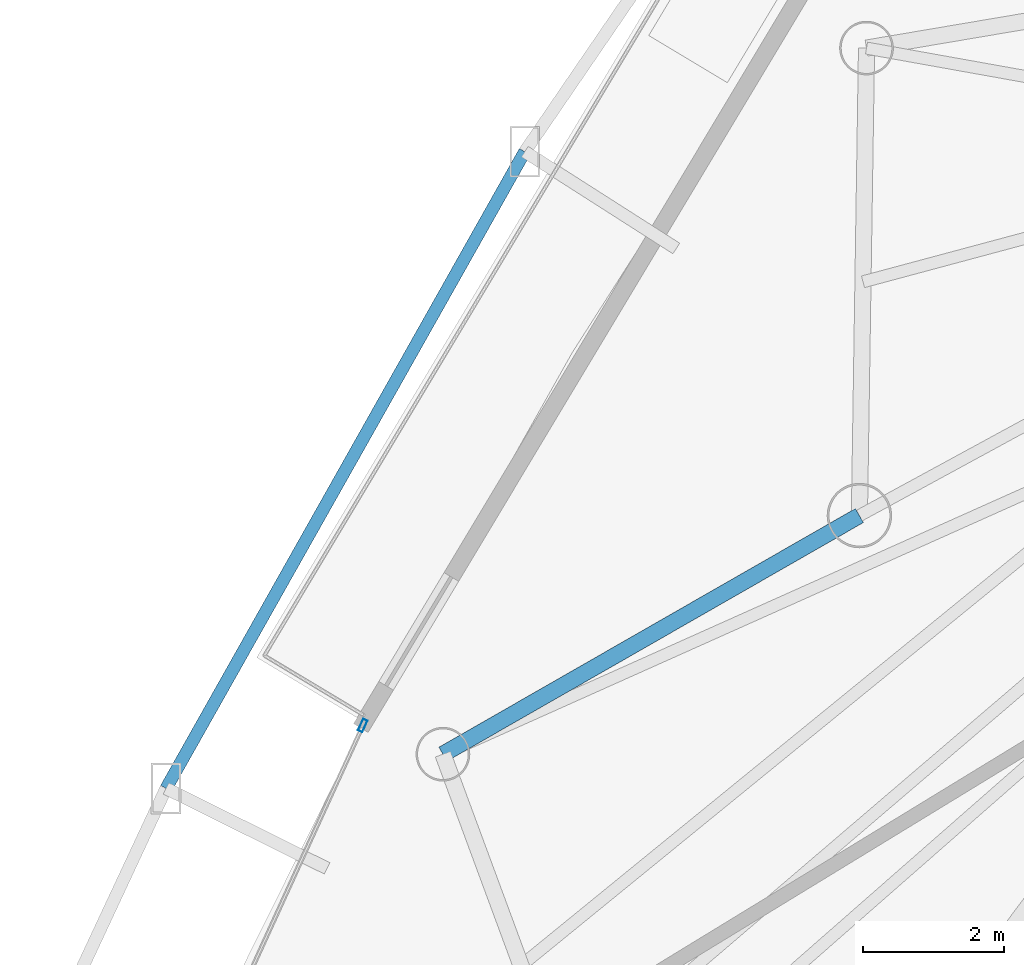
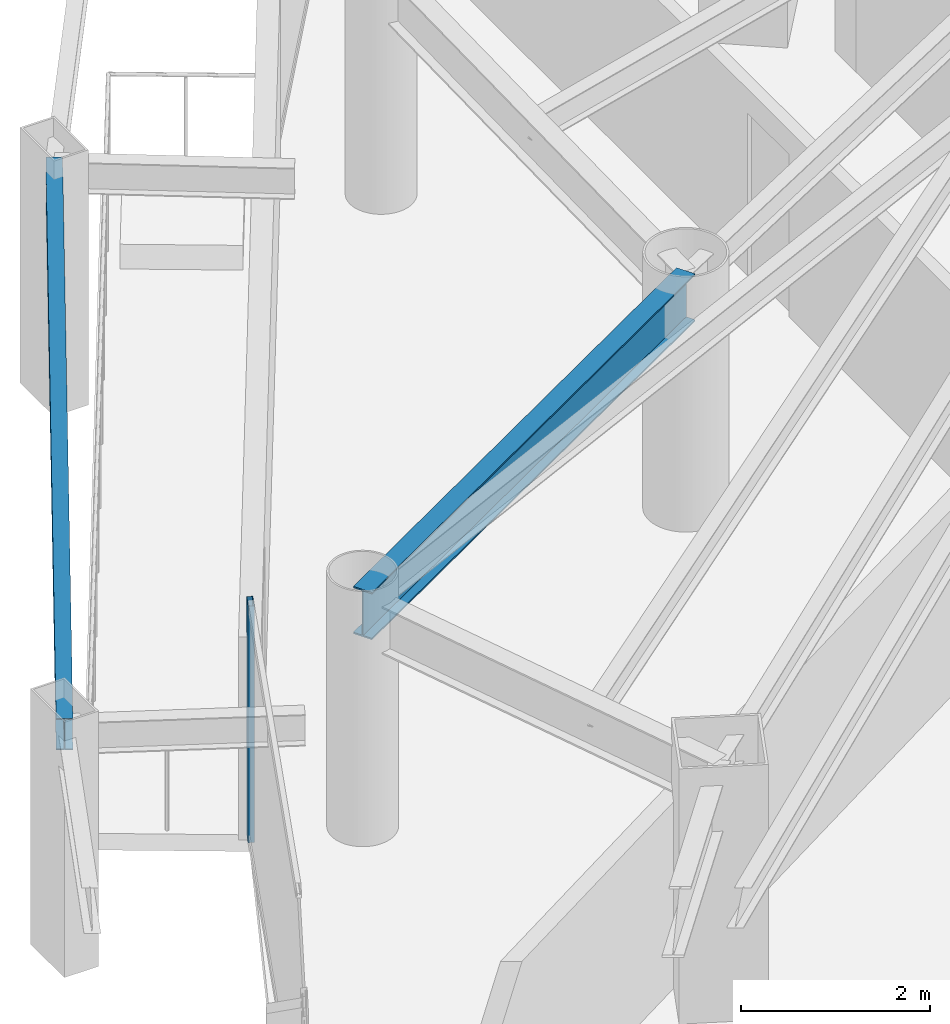
# One storey, part 10 of 33: 2 beams, 1 member, 1 element without a shape of its own.
"""IFC4 building model written with IfcOpenShell, lengths in metres."""

from ifc_helpers import new_model, si_unit, direction, frame, origin, origin_2d, place, context, subcontext, project, spatial, hollow_rectangle, i_section, extrude, material, layer, layer_set, material_profile, profile_set, type_object, element, aggregate, save


model = new_model("IFC4")

# Units and contexts
model_context = context("Model", 3, precision=1e-05, world=origin(), true_north=direction((0.0, 1.0)))
body_context = subcontext(model_context, "Body", "Model", "MODEL_VIEW")
ifc_project = project(units=[si_unit("LENGTHUNIT", "METRE"), si_unit("AREAUNIT", "SQUARE_METRE"), si_unit("VOLUMEUNIT", "CUBIC_METRE"), si_unit("PLANEANGLEUNIT", "RADIAN"), si_unit("MASSUNIT", "GRAM", prefix="KILO")], contexts=[model_context])

# Site, building, storey
site_placement = place(None, origin())
site = spatial("IfcSite", under=ifc_project, at=site_placement, CompositionType="ELEMENT")
building_placement = place(site_placement, origin())
building = spatial("IfcBuilding", under=site, at=building_placement, Name="Orvanel Arch Residences", CompositionType="ELEMENT")
storey_placement = place(building_placement, frame((0.0, 0.0, 90.64990234375)))
storey = spatial("IfcBuildingStorey", under=building, at=storey_placement, Name="L25", CompositionType="ELEMENT", Elevation=90.64990234375)

# Curtain wall, member
ifc_material_1 = material(Name="Bronze-anodised aluminium AA6063-T6", Category="aluminium")
ifc_layer = layer(ifc_material_1, 0.179931640625)
ifc_layer_set = layer_set([ifc_layer], Name="Bronze-anodised aluminium AA6063-T6")
curtain_wall_type = type_object("IfcCurtainWallType", Name="CW2-LOW-SYS", PredefinedType="NOTDEFINED", material=ifc_layer_set)
curtain_wall_placement = place(storey_placement, origin())
curtain_wall = element("IfcCurtainWall", 1, at=curtain_wall_placement, inside=storey, type_object=curtain_wall_type, Name="L25 CW2-LOW-SYS Unitised Curtain Wall", PredefinedType="NOTDEFINED")
ifc_material_profile_1 = material_profile(ifc_material_1, hollow_rectangle(XDim=0.070068359375, YDim=0.179931640625, WallThickness=0.00439453125, at=origin_2d()), Name="ALU180x70x4.5")
ifc_profile_set_1 = profile_set([ifc_material_profile_1], Name="Bronze-anodised aluminium AA6063-T6")
member_type = type_object("IfcMemberType", Name="MUL-180x70", PredefinedType="MULLION", material=ifc_profile_set_1)
member_placement = place(storey_placement, frame((13.5244140625, 24.662109375, 0.0), z_axis=(0.0, 0.0, 1.0), x_axis=(0.909823071027, -0.414996360739, 0.0)))
member = element("IfcMember", 2, at=member_placement, type_object=member_type, Name="CW-S2 mullion 1", PredefinedType="MULLION", context=body_context, shape_type="SweptSolid", body=[
    extrude(hollow_rectangle(XDim=0.070068359375, YDim=0.179931640625, WallThickness=0.00439453125, at=origin_2d()), origin(), (0.0, 0.0, 1.0), 3.06005859375),
])
aggregate(curtain_wall, [member])

# Beams
ifc_material_2 = material(Name="Structural steel AS/NZS 3679.1 Grade 300 (300 MPa)", Category="steel")
ifc_material_profile_2 = material_profile(ifc_material_2, i_section(OverallWidth=0.177978515625, OverallDepth=0.406005859375, WebThickness=0.0078125, FlangeThickness=0.0126953125, at=origin_2d()), Name="410UB59.7")
ifc_profile_set_2 = profile_set([ifc_material_profile_2], Name="Structural steel AS/NZS 3679.1 Grade 300 (300 MPa)")
beam_type_1 = type_object("IfcBeamType", Name="OB-410UB-EXT", PredefinedType="SPANDREL", material=ifc_profile_set_2)
beam_1_placement = place(storey_placement, frame((15.822998046875, 32.802001953125, 2.857177734375), z_axis=(-0.490843733941, -0.871247627745, 0.0), x_axis=(0.871247627745, -0.490843733941, 0.0)))
element("IfcBeam", 3, at=beam_1_placement, inside=storey, type_object=beam_type_1, Name="L25 Outer Perimeter Floor Ring Beam 02", PredefinedType="SPANDREL", context=body_context, shape_type="SweptSolid", body=[
    extrude(i_section(OverallWidth=0.177978515625, OverallDepth=0.406005859375, WebThickness=0.0078125, FlangeThickness=0.0126953125, at=origin_2d()), origin(), (0.0, 0.0, 1.0), 10.36572265625),
])
ifc_material_profile_3 = material_profile(ifc_material_2, i_section(OverallWidth=0.22900390625, OverallDepth=0.612060546875, WebThickness=0.011962890625, FlangeThickness=0.01953125, at=origin_2d()), Name="610UB125")
ifc_profile_set_3 = profile_set([ifc_material_profile_3], Name="Structural steel AS/NZS 3679.1 Grade 300 (300 MPa)")
beam_type_2 = type_object("IfcBeamType", Name="SP-610UB", PredefinedType="SPANDREL", material=ifc_profile_set_3)
beam_2_placement = place(storey_placement, frame((20.569091796875, 27.64111328125, 2.754150390625), z_axis=(-0.867635629025, -0.497200578485, 0.0), x_axis=(0.497200578485, -0.867635629025, 0.0)))
element("IfcBeam", 4, at=beam_2_placement, inside=storey, type_object=beam_type_2, Name="L25 Perimeter Spandrel Beam 21", PredefinedType="SPANDREL", context=body_context, shape_type="SweptSolid", body=[
    extrude(i_section(OverallWidth=0.22900390625, OverallDepth=0.612060546875, WebThickness=0.011962890625, FlangeThickness=0.01953125, at=origin_2d()), origin(), (0.0, 0.0, 1.0), 6.80810546875),
])

save(model, "model.ifc")
